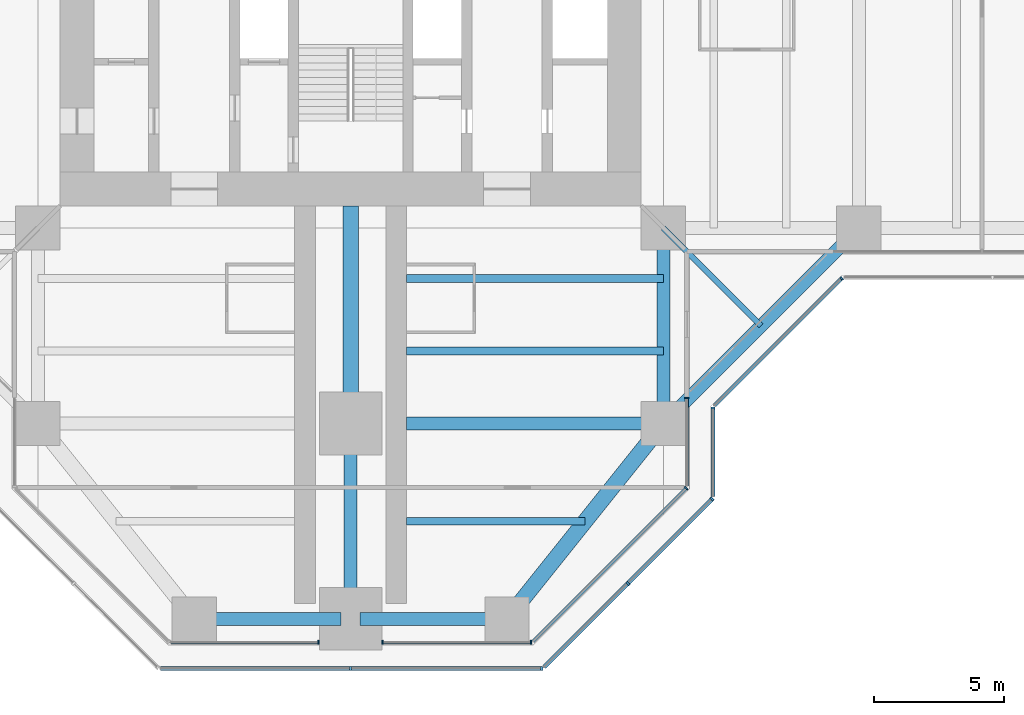
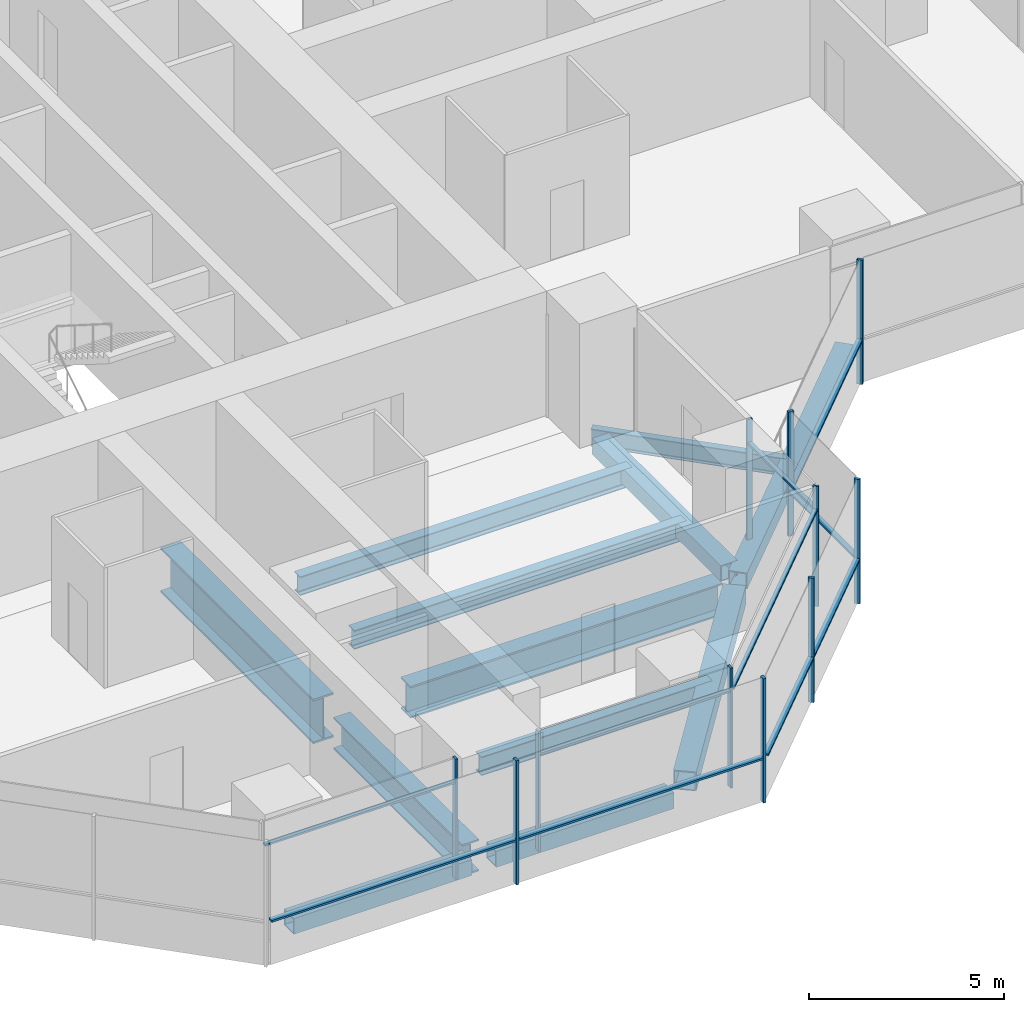
# One storey, part 4 of 19: 21 members, 12 beams, 8 elements without a shape of their own.
"""IFC4 building model written with IfcOpenShell, lengths in metres."""

import ifcopenshell
import ifcopenshell.guid

model = None  # the IFC model being written
_history = None  # IfcOwnerHistory: only IFC2X3 demands one
_inside = {}  # id of a spatial element -> (the spatial element, [elements in it])
_under = {}  # id of a project, library or spatial element -> (it, [spatial elements below it])
_declared = {}  # id of a project -> (the project, [libraries it declares])
_typed = {}  # id of a type object -> (the type object, [elements of that type])
_made_of = {}  # id of a material, layer set ... -> (it, [elements and type objects made of it])


def new_model(schema):
    """Start an empty IFC model of exactly this schema.

    Asked for "IFC4X3", IfcOpenShell would pick the latest addendum, in which some entities
    have other attributes; the version numbers below select the first issue.
    IFC2X3 requires an IfcOwnerHistory on every rooted entity: one is made here for all.
    """
    global model, _history
    if schema == "IFC4X3":
        model = ifcopenshell.file(schema_version=(4, 3, 0, 0))
    else:
        model = ifcopenshell.file(schema=schema)
    _inside.clear()
    _under.clear()
    _declared.clear()
    _typed.clear()
    _made_of.clear()
    _history = None
    if model.schema == "IFC2X3":
        org = make("IfcOrganization", Name="unknown")
        user = make(
            "IfcPersonAndOrganization",
            ThePerson=make("IfcPerson", FamilyName="unknown"),
            TheOrganization=org,
        )
        app = make(
            "IfcApplication",
            ApplicationDeveloper=org,
            Version="unknown",
            ApplicationFullName="unknown",
            ApplicationIdentifier="unknown",
        )
        _history = make(
            "IfcOwnerHistory",
            OwningUser=user,
            OwningApplication=app,
            ChangeAction="ADDED",
            CreationDate=0,
        )
    return model


def make(cls, **values):
    """One entity of the class cls with the attributes given. An attribute that is None is left unset."""
    return model.create_entity(
        cls, **{name: value for name, value in values.items() if value is not None}
    )


def rooted(cls, **values):
    """An entity with a GlobalId (a new one), such as an element, a storey or a relation."""
    return make(cls, GlobalId=ifcopenshell.guid.new(), OwnerHistory=_history, **values)


def si_unit(unit_type, name, prefix=None):
    """IfcSIUnit, for example si_unit("LENGTHUNIT", "METRE", prefix="MILLI")."""
    return make("IfcSIUnit", UnitType=unit_type, Prefix=prefix, Name=name)


def assignment(units):
    """IfcUnitAssignment: the units of a project."""
    return None if units is None else make("IfcUnitAssignment", Units=units)


def point(xyz):
    """IfcCartesianPoint."""
    return None if xyz is None else make("IfcCartesianPoint", Coordinates=xyz)


def direction(xyz):
    """IfcDirection."""
    return None if xyz is None else make("IfcDirection", DirectionRatios=xyz)


def frame(location, z_axis=None, x_axis=None):
    """IfcAxis2Placement3D, a coordinate frame: its origin and axes. An axis left out is left unset."""
    return make(
        "IfcAxis2Placement3D",
        Location=point(location),
        Axis=direction(z_axis),
        RefDirection=direction(x_axis),
    )


def frame_2d(location, x_axis=None):
    """IfcAxis2Placement2D, a coordinate frame in the plane: its origin and x axis."""
    return make(
        "IfcAxis2Placement2D", Location=point(location), RefDirection=direction(x_axis)
    )


def origin():
    """The frame at (0, 0, 0) with its axes left unset."""
    return frame((0.0, 0.0, 0.0))


def origin_2d():
    """The frame at (0, 0) in the plane with its x axis left unset."""
    return frame_2d((0.0, 0.0))


def place(relative_to, where):
    """IfcLocalPlacement: puts the frame where relative to a parent placement (None: the world)."""
    return make(
        "IfcLocalPlacement", PlacementRelTo=relative_to, RelativePlacement=where
    )


def context(
    kind, dimensions, precision=None, world=None, true_north=None, identifier=None
):
    """IfcGeometricRepresentationContext, for example the 3D "Model" context."""
    return make(
        "IfcGeometricRepresentationContext",
        ContextIdentifier=identifier,
        ContextType=kind,
        CoordinateSpaceDimension=dimensions,
        Precision=precision,
        WorldCoordinateSystem=world,
        TrueNorth=true_north,
    )


def subcontext(parent, identifier, kind, view, scale=None):
    """IfcGeometricRepresentationSubContext, for example "Body" below "Model"."""
    return make(
        "IfcGeometricRepresentationSubContext",
        ContextIdentifier=identifier,
        ContextType=kind,
        ParentContext=parent,
        TargetScale=scale,
        TargetView=view,
    )


def project(units=None, contexts=None):
    """IfcProject with its units and contexts."""
    return rooted(
        "IfcProject",
        Name="project",
        RepresentationContexts=contexts,
        UnitsInContext=assignment(units),
    )


def spatial(cls, under=None, at=None, **own):
    """A site, building, storey or space (cls), placed at a placement, below another one or the project."""
    s = rooted(cls, ObjectPlacement=at, **own)
    if under is not None:
        _under.setdefault(under.id(), (under, []))[1].append(s)
    return s


def profile(cls, at=None, kind="AREA", **sizes):
    """A parametric profile (cls). Its sizes go by their IFC names, for example OverallWidth=200.0."""
    return make(cls, ProfileType=kind, Position=at, **sizes)


def rectangle(**sizes):
    """IfcRectangleProfileDef."""
    return profile("IfcRectangleProfileDef", **sizes)


def hollow_rectangle(**sizes):
    """IfcRectangleHollowProfileDef."""
    return profile("IfcRectangleHollowProfileDef", **sizes)


def i_section(**sizes):
    """IfcIShapeProfileDef."""
    return profile("IfcIShapeProfileDef", **sizes)


def extrude(swept, where, along, depth):
    """IfcExtrudedAreaSolid: the profile swept, set in the frame where, extruded along a direction by depth."""
    return make(
        "IfcExtrudedAreaSolid",
        SweptArea=swept,
        Position=where,
        ExtrudedDirection=direction(along),
        Depth=depth,
    )


def shape(context_of_items, identifier, shape_type, items):
    """IfcShapeRepresentation: the items that make up one representation, for example the "Body"."""
    return make(
        "IfcShapeRepresentation",
        ContextOfItems=context_of_items,
        RepresentationIdentifier=identifier,
        RepresentationType=shape_type,
        Items=items,
    )


def material(Name=None, Category=None):
    """IfcMaterial."""
    return make("IfcMaterial", Name=Name, Category=Category)


def material_profile(
    of_material, cross_section, Name=None, Category=None, Priority=None
):
    """IfcMaterialProfile: a cross section and its material."""
    return make(
        "IfcMaterialProfile",
        Name=Name,
        Material=of_material,
        Profile=cross_section,
        Priority=Priority,
        Category=Category,
    )


def profile_set(profiles, Name=None, composite=None):
    """IfcMaterialProfileSet."""
    return make(
        "IfcMaterialProfileSet",
        Name=Name,
        MaterialProfiles=profiles,
        CompositeProfile=composite,
    )


def made_of(thing, what):
    """Note that an element or type object is made of a material, layer set ...; save() writes the relation."""
    if what is not None:
        _made_of.setdefault(what.id(), (what, []))[1].append(thing)
    return thing


def type_object(cls, material=None, **own):
    """A type object (cls), such as IfcWallType, which elements share."""
    return made_of(rooted(cls, **own), material)


def element(
    cls,
    number,
    at=None,
    inside=None,
    cuts=None,
    type_object=None,
    material=None,
    context=None,
    identifier="Body",
    shape_type=None,
    held_by="IfcProductDefinitionShape",
    body=None,
    shapes=None,
    **own,
):
    """One element of the class cls, such as IfcWall. Its Tag is "e" and its number.

    at: its placement. inside: the storey or other place that contains it. cuts: it is an
    opening in that element (IfcRelVoidsElement). A single representation is given by context,
    identifier, shape_type and body (its items); several are given by shapes. held_by: the class
    of the entity that holds the representations. save() writes the other relations.
    """
    e = rooted(cls, Tag="e%d" % number, ObjectPlacement=at, **own)
    if body is not None:
        shapes = [shape(context, identifier, shape_type, body)]
    if shapes is not None:
        e.Representation = make(held_by, Representations=shapes)
    if inside is not None:
        _inside.setdefault(inside.id(), (inside, []))[1].append(e)
    if cuts is not None:
        rooted(
            "IfcRelVoidsElement", RelatingBuildingElement=cuts, RelatedOpeningElement=e
        )
    if type_object is not None:
        _typed.setdefault(type_object.id(), (type_object, []))[1].append(e)
    return made_of(e, material)


def aggregate(whole, parts):
    """IfcRelAggregates: a whole, such as a stair, and the parts it consists of."""
    return rooted("IfcRelAggregates", RelatingObject=whole, RelatedObjects=parts)


def save(model, path):
    """Write the relations noted so far, then the file.

    IfcRelAggregates (storeys below a building ...), IfcRelContainedInSpatialStructure (elements
    in a storey), IfcRelDefinesByType, IfcRelAssociatesMaterial and IfcRelDeclares: one each for
    every whole, place, type object, material and project.
    """
    for whole, parts in _under.values():
        aggregate(whole, parts)
    for where, things in _inside.values():
        rooted(
            "IfcRelContainedInSpatialStructure",
            RelatedElements=things,
            RelatingStructure=where,
        )
    for kind, things in _typed.values():
        rooted("IfcRelDefinesByType", RelatedObjects=things, RelatingType=kind)
    for what, things in _made_of.values():
        rooted("IfcRelAssociatesMaterial", RelatedObjects=things, RelatingMaterial=what)
    for by, libraries in _declared.values():
        rooted("IfcRelDeclares", RelatingContext=by, RelatedDefinitions=libraries)
    model.write(path)


model = new_model("IFC4")

# Units and contexts
model_context = context("Model", 3, precision=1e-05, world=origin(), true_north=direction((0.0, 1.0)))
body_context = subcontext(model_context, "Body", "Model", "MODEL_VIEW")
ifc_project = project(units=[si_unit("LENGTHUNIT", "METRE"), si_unit("AREAUNIT", "SQUARE_METRE"), si_unit("VOLUMEUNIT", "CUBIC_METRE"), si_unit("PLANEANGLEUNIT", "RADIAN"), si_unit("MASSUNIT", "GRAM", prefix="KILO")], contexts=[model_context])

# Site, building, storey
site_placement = place(None, origin())
site = spatial("IfcSite", under=ifc_project, at=site_placement, CompositionType="ELEMENT")
building_placement = place(site_placement, origin())
building = spatial("IfcBuilding", under=site, at=building_placement, Name="Mizan Broadcast Tower", CompositionType="ELEMENT")
storey_placement = place(building_placement, frame((0.0, 0.0, 186.60009765625)))
storey = spatial("IfcBuildingStorey", under=building, at=storey_placement, Name="L43", CompositionType="ELEMENT", Elevation=186.60009765625)

# Beams
ifc_material_1 = material(Name="Steel S355", Category="steel")
ifc_material_profile_1 = material_profile(ifc_material_1, hollow_rectangle(XDim=0.5, YDim=0.5, WallThickness=0.030029296875, at=origin_2d()), Name="BOX 500x500x30")
ifc_profile_set_1 = profile_set([ifc_material_profile_1], Name="Steel S355")
beam_type_1 = type_object("IfcBeamType", Name="EDGE BEAM BOX 500x500x30", PredefinedType="SPANDREL", material=ifc_profile_set_1)
beam_1_placement = place(storey_placement, frame((-5.639892578125, -27.0, -0.380126953125), z_axis=(1.0, 0.0, 0.0), x_axis=(0.0, 1.0, 0.0)))
element("IfcBeam", 1, at=beam_1_placement, inside=storey, type_object=beam_type_1, Name="Edge beam BOX 500x500x30 L43 south arm", PredefinedType="SPANDREL", context=body_context, shape_type="SweptSolid", body=[
    extrude(hollow_rectangle(XDim=0.5, YDim=0.5, WallThickness=0.030029296875, at=origin_2d()), origin(), (0.0, 0.0, 1.0), 5.27978515625),
])
beam_2_placement = place(storey_placement, frame((12.0, -12.449951171875, -0.380126953125), z_axis=(0.0, -1.0, 0.0), x_axis=(1.0, 0.0, 0.0)))
element("IfcBeam", 2, at=beam_2_placement, inside=storey, type_object=beam_type_1, Name="Edge beam BOX 500x500x30 L43 south arm", PredefinedType="SPANDREL", context=body_context, shape_type="SweptSolid", body=[
    extrude(hollow_rectangle(XDim=0.5, YDim=0.5, WallThickness=0.030029296875, at=origin_2d()), origin(), (0.0, 0.0, 1.0), 6.60009765625),
])
beam_3_placement = place(storey_placement, frame((5.639892578125, -27.0, -0.380126953125), z_axis=(-1.0, 0.0, 0.0), x_axis=(0.0, -1.0, 0.0)))
element("IfcBeam", 3, at=beam_3_placement, inside=storey, type_object=beam_type_1, Name="Edge beam BOX 500x500x30 L43 south arm", PredefinedType="SPANDREL", context=body_context, shape_type="SweptSolid", body=[
    extrude(hollow_rectangle(XDim=0.5, YDim=0.5, WallThickness=0.030029296875, at=origin_2d()), origin(), (0.0, 0.0, 1.0), 5.27978515625),
])
beam_4_placement = place(storey_placement, frame((12.0, -19.5, -0.380126953125), z_axis=(0.707106781187, 0.707106781187, 0.0), x_axis=(-0.707106781187, 0.707106781187, 0.0)))
element("IfcBeam", 4, at=beam_4_placement, inside=storey, type_object=beam_type_1, Name="Winter garden edge beam L43 S", PredefinedType="SPANDREL", context=body_context, shape_type="SweptSolid", body=[
    extrude(hollow_rectangle(XDim=0.5, YDim=0.5, WallThickness=0.030029296875, at=origin_2d()), origin(), (0.0, 0.0, 1.0), 10.606689453125),
])
ifc_material_2 = material(Name="Steel S355", Category="steel")
ifc_material_profile_2 = material_profile(ifc_material_2, hollow_rectangle(XDim=0.60009765625, YDim=0.60009765625, WallThickness=0.030029296875, at=origin_2d()), Name="BOX 600x600x30")
ifc_profile_set_2 = profile_set([ifc_material_profile_2], Name="Steel S355")
beam_type_2 = type_object("IfcBeamType", Name="EDGE BEAM BOX 600x600x30", PredefinedType="SPANDREL", material=ifc_profile_set_2)
beam_5_placement = place(storey_placement, frame((11.639892578125, -19.949951171875, -0.43017578125), z_axis=(-0.624673911726, -0.780885717636, 0.0), x_axis=(0.780885717636, -0.624673911726, 0.0)))
element("IfcBeam", 5, at=beam_5_placement, inside=storey, type_object=beam_type_2, Name="Edge beam BOX 600x600x30 L43 south arm", PredefinedType="SPANDREL", context=body_context, shape_type="SweptSolid", body=[
    extrude(hollow_rectangle(XDim=0.60009765625, YDim=0.60009765625, WallThickness=0.030029296875, at=origin_2d()), origin(), (0.0, 0.0, 1.0), 8.4521484375),
])
ifc_material_3 = material(Name="Steel S460", Category="steel")
ifc_material_profile_3 = material_profile(ifc_material_3, i_section(OverallWidth=0.5, OverallDepth=1.0, WebThickness=0.02490234375, FlangeThickness=0.050048828125, at=origin_2d()), Name="WPG 1000x500")
ifc_profile_set_3 = profile_set([ifc_material_profile_3], Name="Steel S460")
beam_type_3 = type_object("IfcBeamType", Name="GIRDER WPG 1000x500", PredefinedType="BEAM", material=ifc_profile_set_3)
beam_6_placement = place(storey_placement, frame((0.0, -19.949951171875, -0.630126953125), z_axis=(0.0, -1.0, 0.0), x_axis=(1.0, 0.0, 0.0)))
element("IfcBeam", 6, at=beam_6_placement, inside=storey, type_object=beam_type_3, Name="Girder WPG 1000x500 L43 south arm", PredefinedType="BEAM", context=body_context, shape_type="SweptSolid", body=[
    extrude(i_section(OverallWidth=0.5, OverallDepth=1.0, WebThickness=0.02490234375, FlangeThickness=0.050048828125, at=origin_2d()), origin(), (0.0, 0.0, 1.0), 6.60009765625),
])
beam_7_placement = place(storey_placement, frame((11.408935546875, -19.5, -0.630126953125), z_axis=(-1.0, 0.0, 0.0), x_axis=(0.0, -1.0, 0.0)))
element("IfcBeam", 7, at=beam_7_placement, inside=storey, type_object=beam_type_3, Name="Girder WPG 1000x500 L43 south arm", PredefinedType="BEAM", context=body_context, shape_type="SweptSolid", body=[
    extrude(i_section(OverallWidth=0.5, OverallDepth=1.0, WebThickness=0.02490234375, FlangeThickness=0.050048828125, at=origin_2d()), origin(), (0.0, 0.0, 1.0), 9.259033203125),
])
ifc_material_4 = material(Name="Steel S460", Category="steel")
ifc_material_profile_4 = material_profile(ifc_material_4, i_section(OverallWidth=0.60009765625, OverallDepth=1.39990234375, WebThickness=0.02490234375, FlangeThickness=0.06005859375, at=origin_2d()), Name="WPG 1400x600")
ifc_profile_set_4 = profile_set([ifc_material_profile_4], Name="Steel S460")
beam_type_4 = type_object("IfcBeamType", Name="GIRDER WPG 1400x600", PredefinedType="BEAM", material=ifc_profile_set_4)
beam_8_placement = place(storey_placement, frame((0.0, -11.14990234375, -0.830078125), z_axis=(0.0, -1.0, 0.0), x_axis=(1.0, 0.0, 0.0)))
element("IfcBeam", 8, at=beam_8_placement, inside=storey, type_object=beam_type_4, Name="Girder WPG 1400x600 L43 south arm", PredefinedType="BEAM", context=body_context, shape_type="SweptSolid", body=[
    extrude(i_section(OverallWidth=0.60009765625, OverallDepth=1.39990234375, WebThickness=0.02490234375, FlangeThickness=0.06005859375, at=origin_2d()), origin(), (0.0, 0.0, 1.0), 7.84912109375),
])

# Curtain wall, member
ifc_material_5 = material(Name="Aluminium framed glazing", Category="aluminium")
curtain_wall_type_1 = type_object("IfcCurtainWallType", Name="INNER SKIN MID ZONE", PredefinedType="USERDEFINED", material=ifc_material_5)
curtain_wall_1_placement = place(storey_placement, origin())
curtain_wall_1 = element("IfcCurtainWall", 9, at=curtain_wall_1_placement, inside=storey, type_object=curtain_wall_type_1, Name="Inner skin mid zone L43 S end", ObjectType="INNER SKIN MID ZONE", PredefinedType="USERDEFINED")
ifc_material_6 = material(Name="Aluminium, pale anodised", Category="aluminium")
ifc_material_profile_5 = material_profile(ifc_material_6, rectangle(XDim=0.159912109375, YDim=0.06005859375, at=origin_2d()), Name="MULLION 160x60")
ifc_profile_set_5 = profile_set([ifc_material_profile_5], Name="Aluminium, pale anodised")
member_type_1 = type_object("IfcMemberType", Name="INNER SKIN MULLION 60x160", PredefinedType="MULLION", material=ifc_profile_set_5)
member_1_placement = place(storey_placement, frame((-1.22998046875, -27.89990234375, 0.0), z_axis=(0.0, 0.0, 1.0), x_axis=(0.0, 1.0, 0.0)))
member_1 = element("IfcMember", 10, at=member_1_placement, type_object=member_type_1, Name="Inner skin mid zone L43 S end mullion 2", PredefinedType="MULLION", context=body_context, shape_type="SweptSolid", body=[
    extrude(rectangle(XDim=0.159912109375, YDim=0.06005859375, at=origin_2d()), origin(), (0.0, 0.0, 1.0), 3.77001953125),
])

# Curtain wall, members
curtain_wall_2_placement = place(storey_placement, origin())
curtain_wall_2 = element("IfcCurtainWall", 11, at=curtain_wall_2_placement, inside=storey, type_object=curtain_wall_type_1, Name="Inner skin mid zone L43 S end", ObjectType="INNER SKIN MID ZONE", PredefinedType="USERDEFINED")
member_2_placement = place(storey_placement, frame((1.22998046875, -27.89990234375, 0.0), z_axis=(0.0, 0.0, 1.0), x_axis=(0.0, 1.0, 0.0)))
member_2 = element("IfcMember", 12, at=member_2_placement, type_object=member_type_1, Name="Inner skin mid zone L43 S end mullion 1", PredefinedType="MULLION", context=body_context, shape_type="SweptSolid", body=[
    extrude(rectangle(XDim=0.159912109375, YDim=0.06005859375, at=origin_2d()), origin(), (0.0, 0.0, 1.0), 3.77001953125),
])
member_3_placement = place(storey_placement, frame((6.928466796875, -27.89990234375, 0.0), z_axis=(0.0, 0.0, 1.0), x_axis=(0.0, 1.0, 0.0)))
member_3 = element("IfcMember", 13, at=member_3_placement, type_object=member_type_1, Name="Inner skin mid zone L43 S end mullion 2", PredefinedType="MULLION", context=body_context, shape_type="SweptSolid", body=[
    extrude(rectangle(XDim=0.159912109375, YDim=0.06005859375, at=origin_2d()), origin(), (0.0, 0.0, 1.0), 3.77001953125),
])

# Curtain wall, member
curtain_wall_3_placement = place(storey_placement, origin())
curtain_wall_3 = element("IfcCurtainWall", 14, at=curtain_wall_3_placement, inside=storey, type_object=curtain_wall_type_1, Name="Inner skin mid zone L43 S chamfer", ObjectType="INNER SKIN MID ZONE", PredefinedType="USERDEFINED")
member_4_placement = place(storey_placement, frame((12.87890625, -21.979736328125, 0.0), z_axis=(0.0, 0.0, 1.0), x_axis=(-0.707106781187, 0.707106781187, 0.0)))
member_4 = element("IfcMember", 15, at=member_4_placement, type_object=member_type_1, Name="Inner skin mid zone L43 S chamfer mullion 2", PredefinedType="MULLION", context=body_context, shape_type="SweptSolid", body=[
    extrude(rectangle(XDim=0.159912109375, YDim=0.06005859375, at=origin_2d()), origin(), (0.0, 0.0, 1.0), 3.77001953125),
])

curtain_wall_4_placement = place(storey_placement, origin())
curtain_wall_4 = element("IfcCurtainWall", 16, at=curtain_wall_4_placement, inside=storey, type_object=curtain_wall_type_1, Name="Inner skin mid zone L43 S side", ObjectType="INNER SKIN MID ZONE", PredefinedType="USERDEFINED")
member_5_placement = place(storey_placement, frame((12.89990234375, -18.530029296875, 0.0), z_axis=(0.0, 0.0, 1.0), x_axis=(-1.0, 0.0, 0.0)))
member_5 = element("IfcMember", 17, at=member_5_placement, type_object=member_type_1, Name="Inner skin mid zone L43 S side mullion 2", PredefinedType="MULLION", context=body_context, shape_type="SweptSolid", body=[
    extrude(rectangle(XDim=0.159912109375, YDim=0.06005859375, at=origin_2d()), origin(), (0.0, 0.0, 1.0), 3.77001953125),
])

# Member
ifc_material_7 = material(Name="Aluminium, pale anodised", Category="aluminium")
ifc_material_profile_6 = material_profile(ifc_material_7, rectangle(XDim=0.1201171875, YDim=0.06005859375, at=origin_2d()), Name="TRANSOM 120x60")
ifc_profile_set_6 = profile_set([ifc_material_profile_6], Name="Aluminium, pale anodised")
member_type_2 = type_object("IfcMemberType", Name="INNER SKIN TRANSOM 60x120", PredefinedType="USERDEFINED", material=ifc_profile_set_6)
member_6_placement = place(storey_placement, frame((-6.898681640625, -27.89990234375, 3.02978515625), z_axis=(1.0, 0.0, 0.0), x_axis=(0.0, 1.0, 0.0)))
member_6 = element("IfcMember", 18, at=member_6_placement, type_object=member_type_2, Name="Inner skin mid zone L43 S end transom 1.1", ObjectType="TRANSOM", PredefinedType="USERDEFINED", context=body_context, shape_type="SweptSolid", body=[
    extrude(rectangle(XDim=0.1201171875, YDim=0.06005859375, at=origin_2d()), origin(), (0.0, 0.0, 1.0), 5.638671875),
])

aggregate(curtain_wall_1, [member_1, member_6])

member_7_placement = place(storey_placement, frame((1.260009765625, -27.89990234375, 3.02978515625), z_axis=(1.0, 0.0, 0.0), x_axis=(0.0, 1.0, 0.0)))
member_7 = element("IfcMember", 19, at=member_7_placement, type_object=member_type_2, Name="Inner skin mid zone L43 S end transom 1.1", ObjectType="TRANSOM", PredefinedType="USERDEFINED", context=body_context, shape_type="SweptSolid", body=[
    extrude(rectangle(XDim=0.1201171875, YDim=0.06005859375, at=origin_2d()), origin(), (0.0, 0.0, 1.0), 5.638671875),
])

aggregate(curtain_wall_2, [member_2, member_3, member_7])

member_8_placement = place(storey_placement, frame((7.0009765625, -27.857666015625, 3.02978515625), z_axis=(0.707106781187, 0.707106781187, 0.0), x_axis=(-0.707106781187, 0.707106781187, 0.0)))
member_8 = element("IfcMember", 20, at=member_8_placement, type_object=member_type_2, Name="Inner skin mid zone L43 S chamfer transom 1.1", ObjectType="TRANSOM", PredefinedType="USERDEFINED", context=body_context, shape_type="SweptSolid", body=[
    extrude(rectangle(XDim=0.1201171875, YDim=0.06005859375, at=origin_2d()), origin(), (0.0, 0.0, 1.0), 8.28271484375),
])

aggregate(curtain_wall_3, [member_4, member_8])

member_9_placement = place(storey_placement, frame((12.89990234375, -21.898681640625, 3.02978515625), z_axis=(0.0, 1.0, 0.0), x_axis=(-1.0, 0.0, 0.0)))
member_9 = element("IfcMember", 21, at=member_9_placement, type_object=member_type_2, Name="Inner skin mid zone L43 S side transom 1.1", ObjectType="TRANSOM", PredefinedType="USERDEFINED", context=body_context, shape_type="SweptSolid", body=[
    extrude(rectangle(XDim=0.1201171875, YDim=0.06005859375, at=origin_2d()), origin(), (0.0, 0.0, 1.0), 3.338623046875),
])

aggregate(curtain_wall_4, [member_5, member_9])

# Curtain wall, members
ifc_material_8 = material(Name="Aluminium framed glazing", Category="aluminium")
curtain_wall_type_2 = type_object("IfcCurtainWallType", Name="OUTER SKIN", PredefinedType="USERDEFINED", material=ifc_material_8)
curtain_wall_5_placement = place(storey_placement, origin())
curtain_wall_5 = element("IfcCurtainWall", 22, at=curtain_wall_5_placement, inside=storey, type_object=curtain_wall_type_2, Name="Outer skin L43 S end", ObjectType="OUTER SKIN", PredefinedType="USERDEFINED")
ifc_material_9 = material(Name="Aluminium, pale anodised", Category="aluminium")
ifc_material_profile_7 = material_profile(ifc_material_9, rectangle(XDim=0.159912109375, YDim=0.080078125, at=origin_2d()), Name="MULLION 160x80")
ifc_profile_set_7 = profile_set([ifc_material_profile_7], Name="Aluminium, pale anodised")
member_type_3 = type_object("IfcMemberType", Name="OUTER SKIN MULLION 80x160", PredefinedType="MULLION", material=ifc_profile_set_7)
member_10_placement = place(storey_placement, frame((0.0, -28.89990234375, 0.0), z_axis=(0.0, 0.0, 1.0), x_axis=(0.0, 1.0, 0.0)))
member_10 = element("IfcMember", 23, at=member_10_placement, type_object=member_type_3, Name="Outer skin L43 S end mullion 2", PredefinedType="MULLION", context=body_context, shape_type="SweptSolid", body=[
    extrude(rectangle(XDim=0.159912109375, YDim=0.080078125, at=origin_2d()), origin(), (0.0, 0.0, 1.0), 3.89990234375),
])
member_11_placement = place(storey_placement, frame((7.332763671875, -28.89990234375, 0.0), z_axis=(0.0, 0.0, 1.0), x_axis=(0.0, 1.0, 0.0)))
member_11 = element("IfcMember", 24, at=member_11_placement, type_object=member_type_3, Name="Outer skin L43 S end mullion 3", PredefinedType="MULLION", context=body_context, shape_type="SweptSolid", body=[
    extrude(rectangle(XDim=0.159912109375, YDim=0.080078125, at=origin_2d()), origin(), (0.0, 0.0, 1.0), 3.89990234375),
])

curtain_wall_6_placement = place(storey_placement, origin())
curtain_wall_6 = element("IfcCurtainWall", 25, at=curtain_wall_6_placement, inside=storey, type_object=curtain_wall_type_2, Name="Outer skin L43 S chamfer", ObjectType="OUTER SKIN", PredefinedType="USERDEFINED")
member_12_placement = place(storey_placement, frame((10.636474609375, -25.636474609375, 0.0), z_axis=(0.0, 0.0, 1.0), x_axis=(-0.707106781187, 0.707106781187, 0.0)))
member_12 = element("IfcMember", 26, at=member_12_placement, type_object=member_type_3, Name="Outer skin L43 S chamfer mullion 2", PredefinedType="MULLION", context=body_context, shape_type="SweptSolid", body=[
    extrude(rectangle(XDim=0.159912109375, YDim=0.080078125, at=origin_2d()), origin(), (0.0, 0.0, 1.0), 3.89990234375),
])
member_13_placement = place(storey_placement, frame((13.871826171875, -22.401123046875, 0.0), z_axis=(0.0, 0.0, 1.0), x_axis=(-0.707106781187, 0.707106781187, 0.0)))
member_13 = element("IfcMember", 27, at=member_13_placement, type_object=member_type_3, Name="Outer skin L43 S chamfer mullion 3", PredefinedType="MULLION", context=body_context, shape_type="SweptSolid", body=[
    extrude(rectangle(XDim=0.159912109375, YDim=0.080078125, at=origin_2d()), origin(), (0.0, 0.0, 1.0), 3.89990234375),
])

# Curtain wall, member
curtain_wall_7_placement = place(storey_placement, origin())
curtain_wall_7 = element("IfcCurtainWall", 28, at=curtain_wall_7_placement, inside=storey, type_object=curtain_wall_type_2, Name="Outer skin L43 S side", ObjectType="OUTER SKIN", PredefinedType="USERDEFINED")
member_14_placement = place(storey_placement, frame((13.89990234375, -18.912841796875, 0.0), z_axis=(0.0, 0.0, 1.0), x_axis=(-1.0, 0.0, 0.0)))
member_14 = element("IfcMember", 29, at=member_14_placement, type_object=member_type_3, Name="Outer skin L43 S side mullion 2", PredefinedType="MULLION", context=body_context, shape_type="SweptSolid", body=[
    extrude(rectangle(XDim=0.159912109375, YDim=0.080078125, at=origin_2d()), origin(), (0.0, 0.0, 1.0), 3.89990234375),
])

curtain_wall_8_placement = place(storey_placement, origin())
curtain_wall_8 = element("IfcCurtainWall", 30, at=curtain_wall_8_placement, inside=storey, type_object=curtain_wall_type_2, Name="Outer skin L43 E chamfer", ObjectType="OUTER SKIN", PredefinedType="USERDEFINED")
member_15_placement = place(storey_placement, frame((18.844482421875, -13.92822265625, 0.0), z_axis=(0.0, 0.0, 1.0), x_axis=(-0.707106781187, 0.707106781187, 0.0)))
member_15 = element("IfcMember", 31, at=member_15_placement, type_object=member_type_3, Name="Outer skin L43 E chamfer mullion 2", PredefinedType="MULLION", context=body_context, shape_type="SweptSolid", body=[
    extrude(rectangle(XDim=0.159912109375, YDim=0.080078125, at=origin_2d()), origin(), (0.0, 0.0, 1.0), 3.89990234375),
])

# Member
ifc_material_10 = material(Name="Aluminium, pale anodised", Category="aluminium")
ifc_material_profile_8 = material_profile(ifc_material_10, rectangle(XDim=0.159912109375, YDim=0.06005859375, at=origin_2d()), Name="TRANSOM 160x60")
ifc_profile_set_8 = profile_set([ifc_material_profile_8], Name="Aluminium, pale anodised")
member_type_4 = type_object("IfcMemberType", Name="OUTER SKIN TRANSOM 60x160", PredefinedType="USERDEFINED", material=ifc_profile_set_8)
member_16_placement = place(storey_placement, frame((-7.292724609375, -28.89990234375, 1.39990234375), z_axis=(1.0, 0.0, 0.0), x_axis=(0.0, 1.0, 0.0)))
member_16 = element("IfcMember", 32, at=member_16_placement, type_object=member_type_4, Name="Outer skin L43 S end transom 1.1", ObjectType="TRANSOM", PredefinedType="USERDEFINED", context=body_context, shape_type="SweptSolid", body=[
    extrude(rectangle(XDim=0.159912109375, YDim=0.06005859375, at=origin_2d()), origin(), (0.0, 0.0, 1.0), 7.252685546875),
])

member_17_placement = place(storey_placement, frame((0.0400390625, -28.89990234375, 1.39990234375), z_axis=(1.0, 0.0, 0.0), x_axis=(0.0, 1.0, 0.0)))
member_17 = element("IfcMember", 33, at=member_17_placement, type_object=member_type_4, Name="Outer skin L43 S end transom 2.1", ObjectType="TRANSOM", PredefinedType="USERDEFINED", context=body_context, shape_type="SweptSolid", body=[
    extrude(rectangle(XDim=0.159912109375, YDim=0.06005859375, at=origin_2d()), origin(), (0.0, 0.0, 1.0), 7.252685546875),
])

aggregate(curtain_wall_5, [member_10, member_11, member_16, member_17])

member_18_placement = place(storey_placement, frame((7.429443359375, -28.843505859375, 1.39990234375), z_axis=(0.707106781187, 0.707106781187, 0.0), x_axis=(-0.707106781187, 0.707106781187, 0.0)))
member_18 = element("IfcMember", 34, at=member_18_placement, type_object=member_type_4, Name="Outer skin L43 S chamfer transom 1.1", ObjectType="TRANSOM", PredefinedType="USERDEFINED", context=body_context, shape_type="SweptSolid", body=[
    extrude(rectangle(XDim=0.159912109375, YDim=0.06005859375, at=origin_2d()), origin(), (0.0, 0.0, 1.0), 4.495361328125),
])

member_19_placement = place(storey_placement, frame((10.664794921875, -25.608154296875, 1.39990234375), z_axis=(0.707106781187, 0.707106781187, 0.0), x_axis=(-0.707106781187, 0.707106781187, 0.0)))
member_19 = element("IfcMember", 35, at=member_19_placement, type_object=member_type_4, Name="Outer skin L43 S chamfer transom 2.1", ObjectType="TRANSOM", PredefinedType="USERDEFINED", context=body_context, shape_type="SweptSolid", body=[
    extrude(rectangle(XDim=0.159912109375, YDim=0.06005859375, at=origin_2d()), origin(), (0.0, 0.0, 1.0), 4.495361328125),
])

aggregate(curtain_wall_6, [member_12, member_13, member_18, member_19])

member_20_placement = place(storey_placement, frame((13.89990234375, -22.292724609375, 1.39990234375), z_axis=(0.0, 1.0, 0.0), x_axis=(-1.0, 0.0, 0.0)))
member_20 = element("IfcMember", 36, at=member_20_placement, type_object=member_type_4, Name="Outer skin L43 S side transom 1.1", ObjectType="TRANSOM", PredefinedType="USERDEFINED", context=body_context, shape_type="SweptSolid", body=[
    extrude(rectangle(XDim=0.159912109375, YDim=0.06005859375, at=origin_2d()), origin(), (0.0, 0.0, 1.0), 3.33984375),
])

aggregate(curtain_wall_7, [member_14, member_20])

member_21_placement = place(storey_placement, frame((13.95654296875, -18.816162109375, 1.39990234375), z_axis=(0.707106781187, 0.707106781187, 0.0), x_axis=(-0.707106781187, 0.707106781187, 0.0)))
member_21 = element("IfcMember", 37, at=member_21_placement, type_object=member_type_4, Name="Outer skin L43 E chamfer transom 1.1", ObjectType="TRANSOM", PredefinedType="USERDEFINED", context=body_context, shape_type="SweptSolid", body=[
    extrude(rectangle(XDim=0.159912109375, YDim=0.06005859375, at=origin_2d()), origin(), (0.0, 0.0, 1.0), 6.87255859375),
])

aggregate(curtain_wall_8, [member_15, member_21])

# Beams
ifc_material_11 = material(Name="Steel S355", Category="steel")
ifc_material_profile_9 = material_profile(ifc_material_11, i_section(OverallWidth=0.300048828125, OverallDepth=0.590087890625, WebThickness=0.012939453125, FlangeThickness=0.02490234375, FilletRadius=0.027099609375, at=origin_2d()), Name="HEA 600")
ifc_profile_set_9 = profile_set([ifc_material_profile_9], Name="Steel S355")
beam_type_5 = type_object("IfcBeamType", Name="SECONDARY BEAM HEA 600", PredefinedType="JOIST", material=ifc_profile_set_9)
for number, where, z_axis, x_axis, name in (
    (38, (12.0, -13.933349609375, -0.425048828125), (-1.0, 0.0, 0.0), (0.0, -1.0, 0.0), "Secondary beam HEA 600 L43 south arm"),
    (39, (12.0, -16.716552734375, -0.425048828125), (-1.0, 0.0, 0.0), (0.0, -1.0, 0.0), "Secondary beam HEA 600 L43 south arm"),
):
    element("IfcBeam", number, at=place(storey_placement, frame(where, z_axis=z_axis, x_axis=x_axis)), inside=storey, type_object=beam_type_5, Name=name, PredefinedType="JOIST", context=body_context, shape_type="SweptSolid", body=[
        extrude(i_section(OverallWidth=0.300048828125, OverallDepth=0.590087890625, WebThickness=0.012939453125, FlangeThickness=0.02490234375, FilletRadius=0.027099609375, at=origin_2d()), origin(), (0.0, 0.0, 1.0), 9.85009765625),
    ])
beam_9_placement = place(storey_placement, frame((9.0, -23.25, -0.425048828125), z_axis=(-1.0, 0.0, 0.0), x_axis=(0.0, -1.0, 0.0)))
element("IfcBeam", 40, at=beam_9_placement, inside=storey, type_object=beam_type_5, Name="Secondary beam HEA 600 L43 south arm", PredefinedType="JOIST", context=body_context, shape_type="SweptSolid", body=[
    extrude(i_section(OverallWidth=0.300048828125, OverallDepth=0.590087890625, WebThickness=0.012939453125, FlangeThickness=0.02490234375, FilletRadius=0.027099609375, at=origin_2d()), origin(), (0.0, 0.0, 1.0), 6.85009765625),
])
ifc_material_12 = material(Name="Steel S355", Category="steel")
ifc_material_profile_10 = material_profile(ifc_material_12, i_section(OverallWidth=0.2099609375, OverallDepth=0.550048828125, WebThickness=0.010986328125, FlangeThickness=0.01708984375, FilletRadius=0.02392578125, at=origin_2d()), Name="IPE 550")
ifc_profile_set_10 = profile_set([ifc_material_profile_10], Name="Steel S355")
beam_type_6 = type_object("IfcBeamType", Name="SECONDARY BEAM IPE 550", PredefinedType="JOIST", material=ifc_profile_set_10)
beam_10_placement = place(storey_placement, frame((12.0, -12.0, -0.405029296875), z_axis=(0.707106781187, -0.707106781187, 0.0), x_axis=(0.707106781187, 0.707106781187, 0.0)))
element("IfcBeam", 41, at=beam_10_placement, inside=storey, type_object=beam_type_6, Name="Winter garden beam L43 S", PredefinedType="JOIST", context=body_context, shape_type="SweptSolid", body=[
    extrude(i_section(OverallWidth=0.2099609375, OverallDepth=0.550048828125, WebThickness=0.010986328125, FlangeThickness=0.01708984375, FilletRadius=0.02392578125, at=origin_2d()), origin(), (0.0, 0.0, 1.0), 5.30322265625),
])

save(model, "model.ifc")
